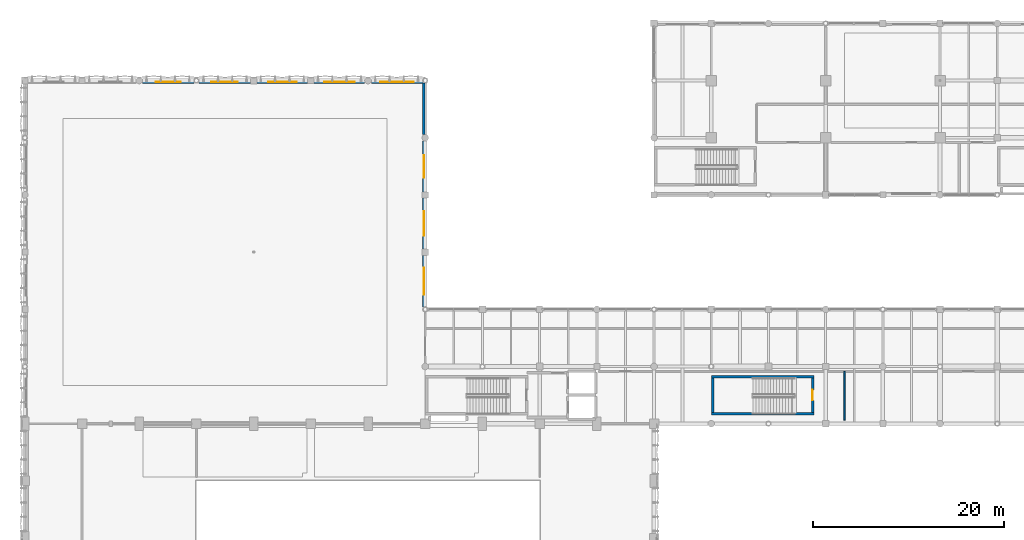
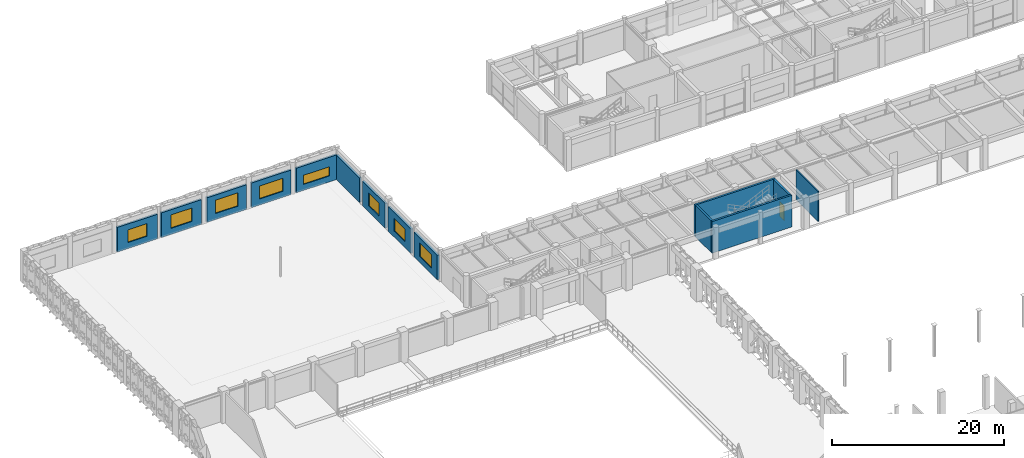
# One storey, part 90 of 116: 14 walls, 8 windows, 1 door, 9 openings.
"""IFC4 building model written with IfcOpenShell, lengths in metres."""

from ifc_helpers import new_model, si_unit, direction, frame, frame_2d, origin, place, context, subcontext, project, spatial, rectangle, extrude, material, layer, layer_set, type_object, element, fill, save


model = new_model("IFC4")

# Units and contexts
model_context = context("Model", 3, precision=1e-05, world=origin(), true_north=direction((0.0, 1.0)))
body_context = subcontext(model_context, "Body", "Model", "MODEL_VIEW")
ifc_project = project(units=[si_unit("LENGTHUNIT", "METRE"), si_unit("AREAUNIT", "SQUARE_METRE"), si_unit("VOLUMEUNIT", "CUBIC_METRE"), si_unit("PLANEANGLEUNIT", "RADIAN"), si_unit("MASSUNIT", "GRAM", prefix="KILO"), si_unit("THERMODYNAMICTEMPERATUREUNIT", "KELVIN"), si_unit("POWERUNIT", "WATT")], contexts=[model_context])

# Site, building, storey
site_placement = place(None, origin())
site = spatial("IfcSite", under=ifc_project, at=site_placement, CompositionType="ELEMENT")
building_placement = place(site_placement, origin())
building = spatial("IfcBuilding", under=site, at=building_placement, Name="Phaisarnlok Congress Hotel", CompositionType="ELEMENT")
storey_placement = place(building_placement, frame((0.0, 0.0, 10.5)))
storey = spatial("IfcBuildingStorey", under=building, at=storey_placement, Name="L02", CompositionType="ELEMENT", Elevation=10.5)

# Wall, opening, window
ifc_material_1 = material(Name="Concrete C40/50", Category="concrete")
ifc_layer_1 = layer(ifc_material_1, 0.2900390625, Name="Concrete C40/50")
ifc_layer_set_1 = layer_set([ifc_layer_1], Name="Concrete C40/50")
wall_type_1 = type_object("IfcWallType", Name="WL-EXT-290", PredefinedType="SOLIDWALL", material=ifc_layer_set_1)
wall_1_placement = place(storey_placement, frame((41.85498046875, 96.259033203125, 0.0), z_axis=(0.0, 0.0, 1.0), x_axis=(0.0, 1.0, 0.0)))
wall_1 = element("IfcWall", 1, at=wall_1_placement, inside=storey, type_object=wall_type_1, Name="Exterior wall EW-03 (L02)", PredefinedType="SOLIDWALL", context=body_context, shape_type="SweptSolid", body=[
    extrude(rectangle(XDim=5.385986328125, YDim=0.2900390625, at=frame_2d((2.69287109375, 0.0))), origin(), (0.0, 0.0, 1.0), 3.489990234375),
])
opening_1_placement = place(wall_1_placement, frame((1.29296875, 0.0, 0.85009765625)))
opening_1 = element("IfcOpeningElement", 2, at=opening_1_placement, cuts=wall_1, Name="Opening W-06", PredefinedType="OPENING", context=body_context, shape_type="SweptSolid", body=[
    extrude(rectangle(XDim=2.800048828125, YDim=1.89990234375, at=frame_2d((1.39990234375, 0.949951171875))), frame((0.0, 0.155029296875, 0.0), z_axis=(0.0, -1.0, 0.0), x_axis=(1.0, 0.0, 0.0)), (0.0, 0.0, 1.0), 0.31005859375),
])
ifc_material_2 = material(Name="Thermally Broken Aluminium & Low-E Double Glazing", Category="aluminium")
window_type_1 = type_object("IfcWindowType", Name="WIN-POD-2800", PartitioningType="SINGLE_PANEL", PredefinedType="WINDOW", material=ifc_material_2)
window_1_placement = place(opening_1_placement, origin())
window_1 = element("IfcWindow", 3, at=window_1_placement, inside=storey, type_object=window_type_1, Name="Podium window W-06 (L02)", OverallHeight=1.89990234375, OverallWidth=2.800048828125, PartitioningType="SINGLE_PANEL", PredefinedType="WINDOW", context=body_context, shape_type="SweptSolid", body=[
    extrude(rectangle(XDim=2.800048828125, YDim=1.89990234375, at=frame_2d((1.39990234375, 0.949951171875))), frame((0.0, 0.030029296875, 0.0), z_axis=(0.0, -1.0, 0.0), x_axis=(1.0, 0.0, 0.0)), (0.0, 0.0, 1.0), 0.06005859375),
])
fill(opening_1, window_1)

wall_2_placement = place(storey_placement, frame((41.85498046875, 102.35498046875, 0.0), z_axis=(0.0, 0.0, 1.0), x_axis=(0.0, 1.0, 0.0)))
wall_2 = element("IfcWall", 4, at=wall_2_placement, inside=storey, type_object=wall_type_1, Name="Exterior wall EW-03 (L02)", PredefinedType="SOLIDWALL", context=body_context, shape_type="SweptSolid", body=[
    extrude(rectangle(XDim=5.31494140625, YDim=0.2900390625, at=frame_2d((2.657470703125, 0.0))), origin(), (0.0, 0.0, 1.0), 3.489990234375),
])
opening_2_placement = place(wall_2_placement, frame((1.35693359375, 0.0, 0.85009765625)))
opening_2 = element("IfcOpeningElement", 5, at=opening_2_placement, cuts=wall_2, Name="Opening W-07", PredefinedType="OPENING", context=body_context, shape_type="SweptSolid", body=[
    extrude(rectangle(XDim=2.60009765625, YDim=1.800048828125, at=frame_2d((1.300048828125, 0.89990234375))), frame((0.0, 0.155029296875, 0.0), z_axis=(0.0, -1.0, 0.0), x_axis=(1.0, 0.0, 0.0)), (0.0, 0.0, 1.0), 0.31005859375),
])
window_type_2 = type_object("IfcWindowType", Name="WIN-POD-2600", PartitioningType="SINGLE_PANEL", PredefinedType="WINDOW", material=ifc_material_2)
window_2_placement = place(opening_2_placement, origin())
window_2 = element("IfcWindow", 6, at=window_2_placement, inside=storey, type_object=window_type_2, Name="Podium window W-07 (L02)", OverallHeight=1.800048828125, OverallWidth=2.60009765625, PartitioningType="SINGLE_PANEL", PredefinedType="WINDOW", context=body_context, shape_type="SweptSolid", body=[
    extrude(rectangle(XDim=2.60009765625, YDim=1.800048828125, at=frame_2d((1.300048828125, 0.89990234375))), frame((0.0, 0.030029296875, 0.0), z_axis=(0.0, -1.0, 0.0), x_axis=(1.0, 0.0, 0.0)), (0.0, 0.0, 1.0), 0.06005859375),
])
fill(opening_2, window_2)

wall_3_placement = place(storey_placement, frame((41.85498046875, 108.330078125, 0.0), z_axis=(0.0, 0.0, 1.0), x_axis=(0.0, 1.0, 0.0)))
wall_3 = element("IfcWall", 7, at=wall_3_placement, inside=storey, type_object=wall_type_1, Name="Exterior wall EW-03 (L02)", PredefinedType="SOLIDWALL", context=body_context, shape_type="SweptSolid", body=[
    extrude(rectangle(XDim=5.31494140625, YDim=0.2900390625, at=frame_2d((2.657470703125, 0.0))), origin(), (0.0, 0.0, 1.0), 3.489990234375),
])
opening_3_placement = place(wall_3_placement, frame((1.45703125, 0.0, 0.85009765625)))
opening_3 = element("IfcOpeningElement", 8, at=opening_3_placement, cuts=wall_3, Name="Opening W-08", PredefinedType="OPENING", context=body_context, shape_type="SweptSolid", body=[
    extrude(rectangle(XDim=2.39990234375, YDim=1.800048828125, at=frame_2d((1.199951171875, 0.89990234375))), frame((0.0, 0.155029296875, 0.0), z_axis=(0.0, -1.0, 0.0), x_axis=(1.0, 0.0, 0.0)), (0.0, 0.0, 1.0), 0.31005859375),
])
window_type_3 = type_object("IfcWindowType", Name="WIN-POD-2400", PartitioningType="SINGLE_PANEL", PredefinedType="WINDOW", material=ifc_material_2)
window_3_placement = place(opening_3_placement, origin())
window_3 = element("IfcWindow", 9, at=window_3_placement, inside=storey, type_object=window_type_3, Name="Podium window W-08 (L02)", OverallHeight=1.800048828125, OverallWidth=2.39990234375, PartitioningType="SINGLE_PANEL", PredefinedType="WINDOW", context=body_context, shape_type="SweptSolid", body=[
    extrude(rectangle(XDim=2.39990234375, YDim=1.800048828125, at=frame_2d((1.199951171875, 0.89990234375))), frame((0.0, 0.030029296875, 0.0), z_axis=(0.0, -1.0, 0.0), x_axis=(1.0, 0.0, 0.0)), (0.0, 0.0, 1.0), 0.06005859375),
])
fill(opening_3, window_3)

# Wall
wall_4_placement = place(storey_placement, frame((41.85498046875, 114.35498046875, 0.0), z_axis=(0.0, 0.0, 1.0), x_axis=(0.0, 1.0, 0.0)))
element("IfcWall", 10, at=wall_4_placement, inside=storey, type_object=wall_type_1, Name="Exterior wall EW-03 (L02)", PredefinedType="SOLIDWALL", context=body_context, shape_type="SweptSolid", body=[
    extrude(rectangle(XDim=5.385986328125, YDim=0.2900390625, at=frame_2d((2.69287109375, 0.0))), origin(), (0.0, 0.0, 1.0), 3.489990234375),
])

# Wall, opening, window
wall_5_placement = place(storey_placement, frame((41.740966796875, 119.85498046875, 0.0), z_axis=(0.0, 0.0, 1.0), x_axis=(-1.0, 0.0, 0.0)))
wall_5 = element("IfcWall", 11, at=wall_5_placement, inside=storey, type_object=wall_type_1, Name="Exterior wall EW-03 (L02)", PredefinedType="SOLIDWALL", context=body_context, shape_type="SweptSolid", body=[
    extrude(rectangle(XDim=5.385986328125, YDim=0.2900390625, at=frame_2d((2.69287109375, 0.0))), origin(), (0.0, 0.0, 1.0), 3.489990234375),
])
opening_4_placement = place(wall_5_placement, frame((0.943115234375, 0.0, 0.85009765625)))
opening_4 = element("IfcOpeningElement", 12, at=opening_4_placement, cuts=wall_5, Name="Opening W-20", PredefinedType="OPENING", context=body_context, shape_type="SweptSolid", body=[
    extrude(rectangle(XDim=3.5, YDim=1.300048828125, at=frame_2d((1.75, 0.64990234375))), frame((0.0, 0.155029296875, 0.0), z_axis=(0.0, -1.0, 0.0), x_axis=(1.0, 0.0, 0.0)), (0.0, 0.0, 1.0), 0.31005859375),
])
window_type_4 = type_object("IfcWindowType", Name="WIN-CLER-3500", PartitioningType="SINGLE_PANEL", PredefinedType="WINDOW", material=ifc_material_2)
window_4_placement = place(opening_4_placement, origin())
window_4 = element("IfcWindow", 13, at=window_4_placement, inside=storey, type_object=window_type_4, Name="Podium window W-20 (L02)", OverallHeight=1.300048828125, OverallWidth=3.5, PartitioningType="SINGLE_PANEL", PredefinedType="WINDOW", context=body_context, shape_type="SweptSolid", body=[
    extrude(rectangle(XDim=3.5, YDim=1.300048828125, at=frame_2d((1.75, 0.64990234375))), frame((0.0, 0.030029296875, 0.0), z_axis=(0.0, -1.0, 0.0), x_axis=(1.0, 0.0, 0.0)), (0.0, 0.0, 1.0), 0.06005859375),
])
fill(opening_4, window_4)

wall_6_placement = place(storey_placement, frame((35.64501953125, 119.85498046875, 0.0), z_axis=(0.0, 0.0, 1.0), x_axis=(-1.0, 0.0, 0.0)))
wall_6 = element("IfcWall", 14, at=wall_6_placement, inside=storey, type_object=wall_type_1, Name="Exterior wall EW-03 (L02)", PredefinedType="SOLIDWALL", context=body_context, shape_type="SweptSolid", body=[
    extrude(rectangle(XDim=5.31494140625, YDim=0.2900390625, at=frame_2d((2.657470703125, 0.0))), origin(), (0.0, 0.0, 1.0), 3.489990234375),
])
opening_5_placement = place(wall_6_placement, frame((1.05810546875, 0.0, 0.85009765625)))
opening_5 = element("IfcOpeningElement", 15, at=opening_5_placement, cuts=wall_6, Name="Opening W-04", PredefinedType="OPENING", context=body_context, shape_type="SweptSolid", body=[
    extrude(rectangle(XDim=3.199951171875, YDim=1.85009765625, at=frame_2d((1.60009765625, 0.925048828125))), frame((0.0, 0.155029296875, 0.0), z_axis=(0.0, -1.0, 0.0), x_axis=(1.0, 0.0, 0.0)), (0.0, 0.0, 1.0), 0.31005859375),
])
window_type_5 = type_object("IfcWindowType", Name="WIN-SUITE-3200", PartitioningType="SINGLE_PANEL", PredefinedType="WINDOW", material=ifc_material_2)
window_5_placement = place(opening_5_placement, origin())
window_5 = element("IfcWindow", 16, at=window_5_placement, inside=storey, type_object=window_type_5, Name="Podium window W-04 (L02)", OverallHeight=1.85009765625, OverallWidth=3.199951171875, PartitioningType="SINGLE_PANEL", PredefinedType="WINDOW", context=body_context, shape_type="SweptSolid", body=[
    extrude(rectangle(XDim=3.199951171875, YDim=1.85009765625, at=frame_2d((1.60009765625, 0.925048828125))), frame((0.0, 0.030029296875, 0.0), z_axis=(0.0, -1.0, 0.0), x_axis=(1.0, 0.0, 0.0)), (0.0, 0.0, 1.0), 0.06005859375),
])
fill(opening_5, window_5)

wall_7_placement = place(storey_placement, frame((29.669921875, 119.85498046875, 0.0), z_axis=(0.0, 0.0, 1.0), x_axis=(-1.0, 0.0, 0.0)))
wall_7 = element("IfcWall", 17, at=wall_7_placement, inside=storey, type_object=wall_type_1, Name="Exterior wall EW-03 (L02)", PredefinedType="SOLIDWALL", context=body_context, shape_type="SweptSolid", body=[
    extrude(rectangle(XDim=5.31494140625, YDim=0.2900390625, at=frame_2d((2.657470703125, 0.0))), origin(), (0.0, 0.0, 1.0), 3.489990234375),
])
opening_6_placement = place(wall_7_placement, frame((1.157958984375, 0.0, 0.85009765625)))
opening_6 = element("IfcOpeningElement", 18, at=opening_6_placement, cuts=wall_7, Name="Opening W-05", PredefinedType="OPENING", context=body_context, shape_type="SweptSolid", body=[
    extrude(rectangle(XDim=3.0, YDim=1.89990234375, at=frame_2d((1.5, 0.949951171875))), frame((0.0, 0.155029296875, 0.0), z_axis=(0.0, -1.0, 0.0), x_axis=(1.0, 0.0, 0.0)), (0.0, 0.0, 1.0), 0.31005859375),
])
window_type_6 = type_object("IfcWindowType", Name="WIN-POD-3000", PartitioningType="SINGLE_PANEL", PredefinedType="WINDOW", material=ifc_material_2)
window_6_placement = place(opening_6_placement, origin())
window_6 = element("IfcWindow", 19, at=window_6_placement, inside=storey, type_object=window_type_6, Name="Podium window W-05 (L02)", OverallHeight=1.89990234375, OverallWidth=3.0, PartitioningType="SINGLE_PANEL", PredefinedType="WINDOW", context=body_context, shape_type="SweptSolid", body=[
    extrude(rectangle(XDim=3.0, YDim=1.89990234375, at=frame_2d((1.5, 0.949951171875))), frame((0.0, 0.030029296875, 0.0), z_axis=(0.0, -1.0, 0.0), x_axis=(1.0, 0.0, 0.0)), (0.0, 0.0, 1.0), 0.06005859375),
])
fill(opening_6, window_6)

wall_8_placement = place(storey_placement, frame((23.64501953125, 119.85498046875, 0.0), z_axis=(0.0, 0.0, 1.0), x_axis=(-1.0, 0.0, 0.0)))
wall_8 = element("IfcWall", 20, at=wall_8_placement, inside=storey, type_object=wall_type_1, Name="Exterior wall EW-03 (L02)", PredefinedType="SOLIDWALL", context=body_context, shape_type="SweptSolid", body=[
    extrude(rectangle(XDim=5.385986328125, YDim=0.2900390625, at=frame_2d((2.69287109375, 0.0))), origin(), (0.0, 0.0, 1.0), 3.489990234375),
])
opening_7_placement = place(wall_8_placement, frame((1.29296875, 0.0, 0.85009765625)))
opening_7 = element("IfcOpeningElement", 21, at=opening_7_placement, cuts=wall_8, Name="Opening W-06", PredefinedType="OPENING", context=body_context, shape_type="SweptSolid", body=[
    extrude(rectangle(XDim=2.800048828125, YDim=1.89990234375, at=frame_2d((1.39990234375, 0.949951171875))), frame((0.0, 0.155029296875, 0.0), z_axis=(0.0, -1.0, 0.0), x_axis=(1.0, 0.0, 0.0)), (0.0, 0.0, 1.0), 0.31005859375),
])
window_7_placement = place(opening_7_placement, origin())
window_7 = element("IfcWindow", 22, at=window_7_placement, inside=storey, type_object=window_type_1, Name="Podium window W-06 (L02)", OverallHeight=1.89990234375, OverallWidth=2.800048828125, PartitioningType="SINGLE_PANEL", PredefinedType="WINDOW", context=body_context, shape_type="SweptSolid", body=[
    extrude(rectangle(XDim=2.800048828125, YDim=1.89990234375, at=frame_2d((1.39990234375, 0.949951171875))), frame((0.0, 0.030029296875, 0.0), z_axis=(0.0, -1.0, 0.0), x_axis=(1.0, 0.0, 0.0)), (0.0, 0.0, 1.0), 0.06005859375),
])
fill(opening_7, window_7)

wall_9_placement = place(storey_placement, frame((17.740966796875, 119.85498046875, 0.0), z_axis=(0.0, 0.0, 1.0), x_axis=(-1.0, 0.0, 0.0)))
wall_9 = element("IfcWall", 23, at=wall_9_placement, inside=storey, type_object=wall_type_1, Name="Exterior wall EW-03 (L02)", PredefinedType="SOLIDWALL", context=body_context, shape_type="SweptSolid", body=[
    extrude(rectangle(XDim=5.385986328125, YDim=0.2900390625, at=frame_2d((2.69287109375, 0.0))), origin(), (0.0, 0.0, 1.0), 3.489990234375),
])
opening_8_placement = place(wall_9_placement, frame((1.39306640625, 0.0, 0.85009765625)))
opening_8 = element("IfcOpeningElement", 24, at=opening_8_placement, cuts=wall_9, Name="Opening W-07", PredefinedType="OPENING", context=body_context, shape_type="SweptSolid", body=[
    extrude(rectangle(XDim=2.60009765625, YDim=1.800048828125, at=frame_2d((1.300048828125, 0.89990234375))), frame((0.0, 0.155029296875, 0.0), z_axis=(0.0, -1.0, 0.0), x_axis=(1.0, 0.0, 0.0)), (0.0, 0.0, 1.0), 0.31005859375),
])
window_8_placement = place(opening_8_placement, origin())
window_8 = element("IfcWindow", 25, at=window_8_placement, inside=storey, type_object=window_type_2, Name="Podium window W-07 (L02)", OverallHeight=1.800048828125, OverallWidth=2.60009765625, PartitioningType="SINGLE_PANEL", PredefinedType="WINDOW", context=body_context, shape_type="SweptSolid", body=[
    extrude(rectangle(XDim=2.60009765625, YDim=1.800048828125, at=frame_2d((1.300048828125, 0.89990234375))), frame((0.0, 0.030029296875, 0.0), z_axis=(0.0, -1.0, 0.0), x_axis=(1.0, 0.0, 0.0)), (0.0, 0.0, 1.0), 0.06005859375),
])
fill(opening_8, window_8)

# Walls
ifc_material_3 = material(Name="Double-Stud Acoustic Gypsum Partition", Category="gypsum")
ifc_layer_2 = layer(ifc_material_3, 0.159912109375, Name="Double-Stud Acoustic Gypsum Partition")
ifc_layer_set_2 = layer_set([ifc_layer_2], Name="Double-Stud Acoustic Gypsum Partition")
wall_type_2 = type_object("IfcWallType", Name="WL-INT-160", PredefinedType="PARTITIONING", material=ifc_layer_set_2)
wall_10_placement = place(storey_placement, frame((86.0, 84.3701171875, 0.0), z_axis=(0.0, 0.0, 1.0), x_axis=(0.0, 1.0, 0.0)))
element("IfcWall", 26, at=wall_10_placement, inside=storey, type_object=wall_type_2, Name="Interior partition wall IW-04 (L02)", PredefinedType="PARTITIONING", context=body_context, shape_type="SweptSolid", body=[
    extrude(rectangle(XDim=5.1298828125, YDim=0.159912109375, at=frame_2d((2.56494140625, 0.0))), origin(), (0.0, 0.0, 1.0), 4.239990234375),
])
ifc_material_4 = material(Name="Concrete C50/60", Category="concrete")
ifc_layer_3 = layer(ifc_material_4, 0.260009765625, Name="Concrete C50/60")
ifc_layer_set_3 = layer_set([ifc_layer_3], Name="Concrete C50/60")
wall_type_3 = type_object("IfcWallType", Name="WL-SHR-260", PredefinedType="SHEAR", material=ifc_layer_set_3)
for number, where, z_axis, x_axis, name in (
    (27, (72.0400390625, 85.070068359375, 0.0), (0.0, 0.0, 1.0), (1.0, 0.0, 0.0), "Stair shaft shear wall SW-04 (STAIR-POD-C L02)"),
    (28, (72.0400390625, 88.929931640625, 0.0), (0.0, 0.0, 1.0), (1.0, 0.0, 0.0), "Stair shaft shear wall SW-04 (STAIR-POD-C L02)"),
):
    element("IfcWall", number, at=place(storey_placement, frame(where, z_axis=z_axis, x_axis=x_axis)), inside=storey, type_object=wall_type_3, Name=name, PredefinedType="SHEAR", context=body_context, shape_type="SweptSolid", body=[
        extrude(rectangle(XDim=10.719970703125, YDim=0.260009765625, at=frame_2d((5.35986328125, 0.0))), origin(), (0.0, 0.0, 1.0), 4.5),
    ])
wall_11_placement = place(storey_placement, frame((72.169921875, 85.199951171875, 0.0), z_axis=(0.0, 0.0, 1.0), x_axis=(0.0, 1.0, 0.0)))
element("IfcWall", 29, at=wall_11_placement, inside=storey, type_object=wall_type_3, Name="Stair shaft shear wall SW-04 (STAIR-POD-C L02)", PredefinedType="SHEAR", context=body_context, shape_type="SweptSolid", body=[
    extrude(rectangle(XDim=3.60009765625, YDim=0.260009765625, at=frame_2d((1.800048828125, 0.0))), origin(), (0.0, 0.0, 1.0), 4.5),
])

# Wall, opening, door
wall_12_placement = place(storey_placement, frame((82.6298828125, 85.199951171875, 0.0), z_axis=(0.0, 0.0, 1.0), x_axis=(0.0, 1.0, 0.0)))
wall_12 = element("IfcWall", 30, at=wall_12_placement, inside=storey, type_object=wall_type_3, Name="Stair shaft shear wall SW-04 (STAIR-POD-C L02)", PredefinedType="SHEAR", context=body_context, shape_type="SweptSolid", body=[
    extrude(rectangle(XDim=3.60009765625, YDim=0.260009765625, at=frame_2d((1.800048828125, 0.0))), origin(), (0.0, 0.0, 1.0), 4.5),
])
opening_9_placement = place(wall_12_placement, frame((1.25, 0.0, 0.0)))
opening_9 = element("IfcOpeningElement", 31, at=opening_9_placement, cuts=wall_12, Name="Opening FD-162", PredefinedType="OPENING", context=body_context, shape_type="SweptSolid", body=[
    extrude(rectangle(XDim=1.10009765625, YDim=2.14990234375, at=frame_2d((0.550048828125, 1.074951171875))), frame((0.0, 0.14013671875, 0.0), z_axis=(0.0, -1.0, 0.0), x_axis=(1.0, 0.0, 0.0)), (0.0, 0.0, 1.0), 0.280029296875),
])
ifc_material_5 = material(Name="Fire-Rated Steel Frame & Timber Leaf", Category="steel")
door_type = type_object("IfcDoorType", Name="DR-FD60-1100", OperationType="NOTDEFINED", PredefinedType="DOOR", material=ifc_material_5)
door_placement = place(opening_9_placement, origin())
door = element("IfcDoor", 32, at=door_placement, inside=storey, type_object=door_type, Name="Stair enclosure fire door FD-162 (L02)", OperationType="SINGLE_SWING_LEFT", OverallHeight=2.14990234375, OverallWidth=1.10009765625, PredefinedType="DOOR", context=body_context, shape_type="SweptSolid", body=[
    extrude(rectangle(XDim=1.10009765625, YDim=2.14990234375, at=frame_2d((0.550048828125, 1.074951171875))), frame((0.0, 0.02490234375, 0.0), z_axis=(0.0, -1.0, 0.0), x_axis=(1.0, 0.0, 0.0)), (0.0, 0.0, 1.0), 0.050048828125),
])
fill(opening_9, door)

save(model, "model.ifc")
